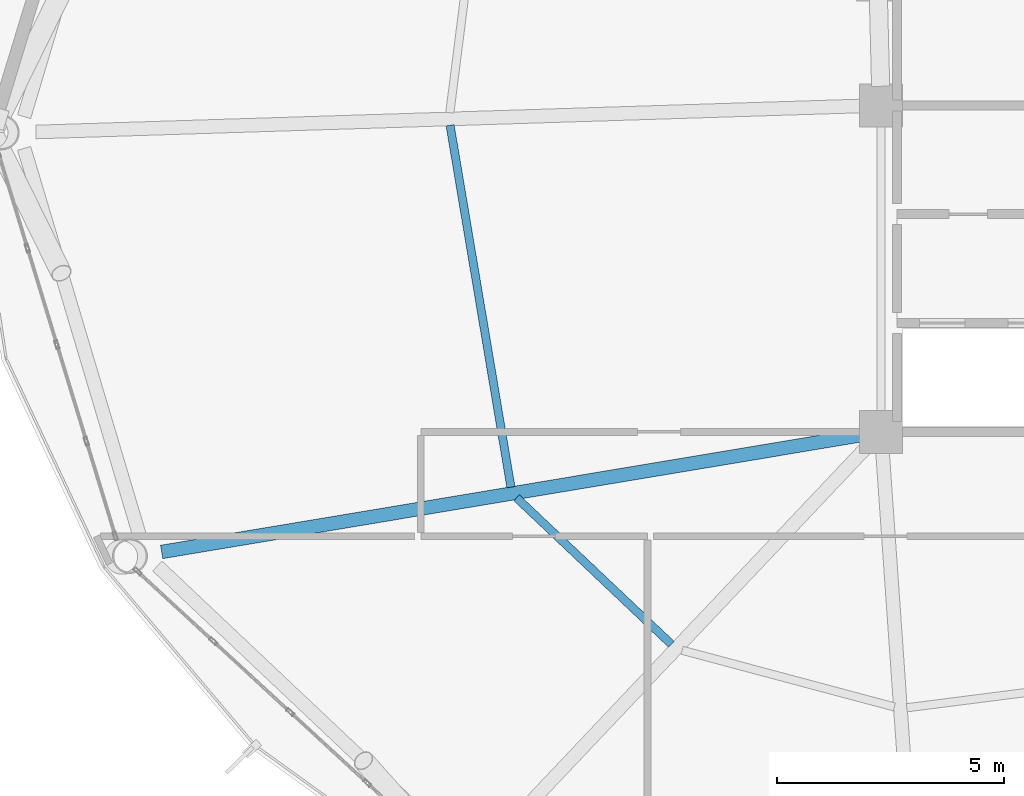
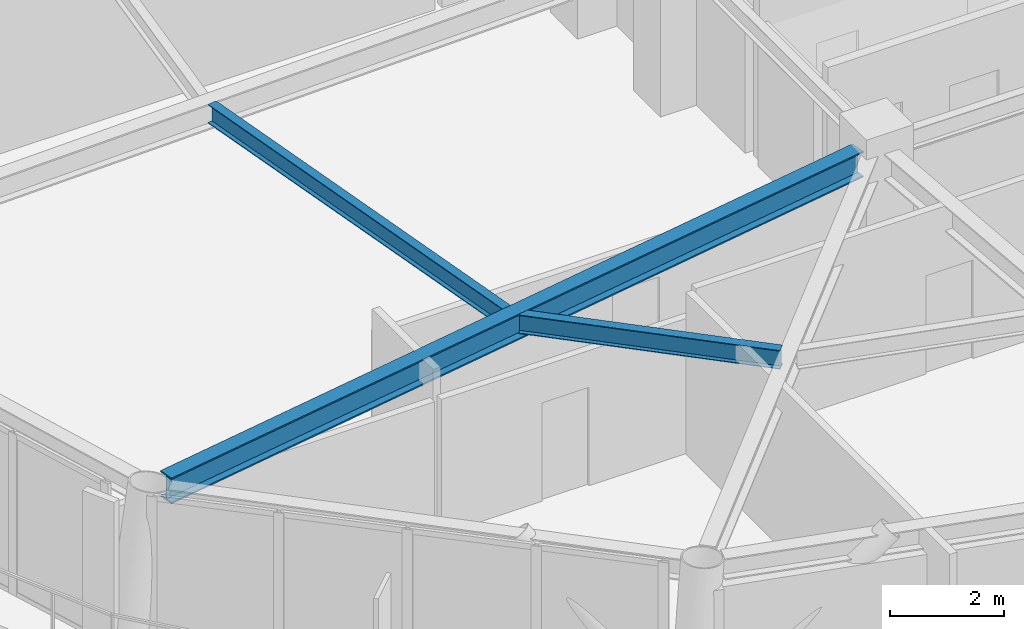
# One storey, part 6 of 26: 3 beams.
"""IFC4 building model written with IfcOpenShell, lengths in metres."""

from ifc_helpers import new_model, si_unit, direction, frame, origin, origin_2d, place, context, subcontext, project, spatial, i_section, extrude, material, material_profile, profile_set, type_object, element, save


model = new_model("IFC4")

# Units and contexts
model_context = context("Model", 3, precision=1e-05, world=origin(), true_north=direction((0.0, 1.0)))
body_context = subcontext(model_context, "Body", "Model", "MODEL_VIEW")
ifc_project = project(units=[si_unit("LENGTHUNIT", "METRE"), si_unit("AREAUNIT", "SQUARE_METRE"), si_unit("VOLUMEUNIT", "CUBIC_METRE"), si_unit("PLANEANGLEUNIT", "RADIAN"), si_unit("MASSUNIT", "GRAM", prefix="KILO")], contexts=[model_context])

# Site, building, storey
site_placement = place(None, origin())
site = spatial("IfcSite", under=ifc_project, at=site_placement, CompositionType="ELEMENT")
building_placement = place(site_placement, origin())
building = spatial("IfcBuilding", under=site, at=building_placement, Name="Varnakorn Sky Granary", CompositionType="ELEMENT")
storey_placement = place(building_placement, frame((0.0, 0.0, 169.5)))
storey = spatial("IfcBuildingStorey", under=building, at=storey_placement, Name="L42", CompositionType="ELEMENT", Elevation=169.5)

# Beams
ifc_material = material(Name="Steel S355JR", Category="steel")
ifc_material_profile_1 = material_profile(ifc_material, i_section(OverallWidth=0.300048828125, OverallDepth=0.550048828125, WebThickness=0.014892578125, FlangeThickness=0.029052734375, at=origin_2d()), Name="HE 550 B")
ifc_profile_set_1 = profile_set([ifc_material_profile_1], Name="Steel S355JR")
beam_type_1 = type_object("IfcBeamType", Name="BM-RAD-Z3", PredefinedType="BEAM", material=ifc_profile_set_1)
beam_1_placement = place(storey_placement, frame((-2.764404296875, -6.669189453125, 3.175048828125), z_axis=(-0.986358511566, -0.164611319966, 0.0), x_axis=(0.164611319966, -0.986358511566, 0.0)))
element("IfcBeam", 1, at=beam_1_placement, inside=storey, type_object=beam_type_1, Name="Radial Floor Girder RG08 L42", PredefinedType="BEAM", context=body_context, shape_type="SweptSolid", body=[
    extrude(i_section(OverallWidth=0.300048828125, OverallDepth=0.550048828125, WebThickness=0.014892578125, FlangeThickness=0.029052734375, at=origin_2d()), origin(), (0.0, 0.0, 1.0), 15.661865234375),
])
ifc_material_profile_2 = material_profile(ifc_material, i_section(OverallWidth=0.179931640625, OverallDepth=0.39990234375, WebThickness=0.008544921875, FlangeThickness=0.013427734375, at=origin_2d()), Name="IPE 400")
ifc_profile_set_2 = profile_set([ifc_material_profile_2], Name="Steel S355JR")
beam_type_2 = type_object("IfcBeamType", Name="BM-SEC-Z3", PredefinedType="BEAM", material=ifc_profile_set_2)
beam_2_placement = place(storey_placement, frame((-11.853759765625, 0.1611328125, 3.25), z_axis=(0.165822323662, -0.986155645411, 0.0), x_axis=(0.986155645411, 0.165822323662, 0.0)))
element("IfcBeam", 2, at=beam_2_placement, inside=storey, type_object=beam_type_2, Name="Secondary Floor Chord Beam MSB07 L42", PredefinedType="BEAM", context=body_context, shape_type="SweptSolid", body=[
    extrude(i_section(OverallWidth=0.179931640625, OverallDepth=0.39990234375, WebThickness=0.008544921875, FlangeThickness=0.013427734375, at=origin_2d()), origin(), (0.0, 0.0, 1.0), 8.09326171875),
])
beam_3_placement = place(storey_placement, frame((-10.38671875, -8.054443359375, 3.25), z_axis=(0.726323973164, -0.68735251946, 0.0), x_axis=(0.68735251946, 0.726323973164, 0.0)))
element("IfcBeam", 3, at=beam_3_placement, inside=storey, type_object=beam_type_2, Name="Secondary Floor Chord Beam MSB08 L42", PredefinedType="BEAM", context=body_context, shape_type="SweptSolid", body=[
    extrude(i_section(OverallWidth=0.179931640625, OverallDepth=0.39990234375, WebThickness=0.008544921875, FlangeThickness=0.013427734375, at=origin_2d()), origin(), (0.0, 0.0, 1.0), 4.698486328125),
])

save(model, "model.ifc")
